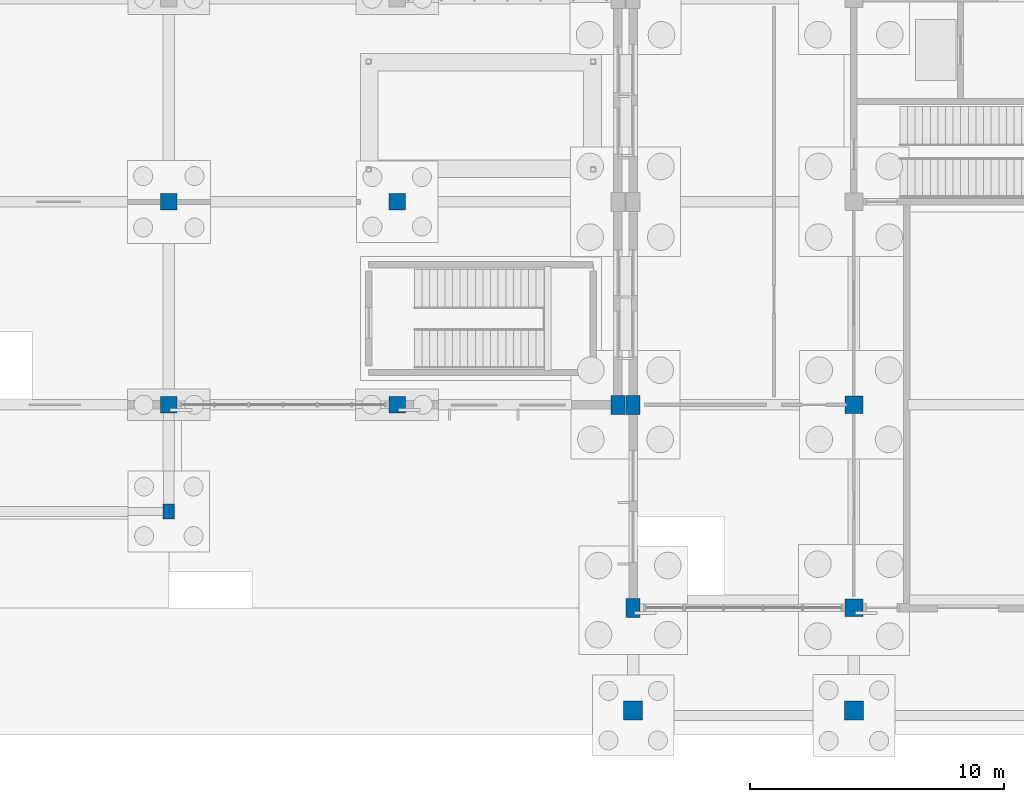
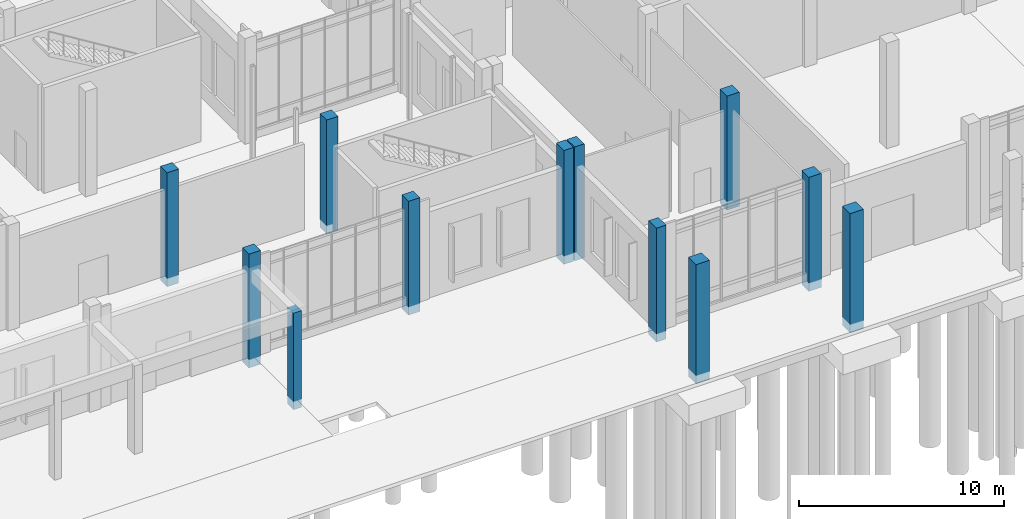
# One storey, part 30 of 99: 12 columns.
"""IFC4 building model written with IfcOpenShell, lengths in metres."""

from ifc_helpers import new_model, si_unit, direction, frame, origin, origin_2d, place, context, subcontext, project, spatial, rectangle, extrude, material, material_profile, profile_set, type_object, element, save


model = new_model("IFC4")

# Units and contexts
model_context = context("Model", 3, precision=1e-05, world=origin(), true_north=direction((0.0, 1.0)))
body_context = subcontext(model_context, "Body", "Model", "MODEL_VIEW")
ifc_project = project(units=[si_unit("LENGTHUNIT", "METRE"), si_unit("AREAUNIT", "SQUARE_METRE"), si_unit("VOLUMEUNIT", "CUBIC_METRE"), si_unit("PLANEANGLEUNIT", "RADIAN"), si_unit("MASSUNIT", "GRAM", prefix="KILO")], contexts=[model_context])

# Site, building, storey
site_placement = place(None, origin())
site = spatial("IfcSite", under=ifc_project, at=site_placement, CompositionType="ELEMENT")
building_placement = place(site_placement, origin())
building = spatial("IfcBuilding", under=site, at=building_placement, Name="Zacnel Wholesale Market", CompositionType="ELEMENT")
storey_placement = place(building_placement, origin())
storey = spatial("IfcBuildingStorey", under=building, at=storey_placement, Name="L01", CompositionType="ELEMENT", Elevation=0.0)

# Columns
ifc_material_1 = material(Name="Precast concrete C45/55", Category="concrete")
ifc_material_profile_1 = material_profile(ifc_material_1, rectangle(XDim=0.550048828125, YDim=0.75, at=origin_2d()), Name="PC 550x750")
ifc_profile_set_1 = profile_set([ifc_material_profile_1], Name="Precast concrete C45/55")
column_type_1 = type_object("IfcColumnType", Name="COL-MJ550X750", PredefinedType="COLUMN", material=ifc_profile_set_1)
for number, where, z_axis, x_axis, name in (
    (1, (143.699951171875, 8.0, -0.5), (0.0, 0.0, 1.0), (1.0, 0.0, 0.0), "Precast column L01-0230"),
    (2, (144.300048828125, 0.0, -0.5), (0.0, 0.0, 1.0), (1.0, 0.0, 0.0), "Precast column L01-0236"),
    (3, (144.300048828125, 8.0, -0.5), (0.0, 0.0, 1.0), (1.0, 0.0, 0.0), "Precast column L01-0237"),
):
    element("IfcColumn", number, at=place(storey_placement, frame(where, z_axis=z_axis, x_axis=x_axis)), inside=storey, type_object=column_type_1, Name=name, PredefinedType="COLUMN", context=body_context, shape_type="SweptSolid", body=[
        extrude(rectangle(XDim=0.550048828125, YDim=0.75, at=origin_2d()), origin(), (0.0, 0.0, 1.0), 6.800048828125),
    ])
ifc_material_2 = material(Name="Precast concrete C45/55", Category="concrete")
ifc_material_profile_2 = material_profile(ifc_material_2, rectangle(XDim=0.64990234375, YDim=0.64990234375, at=origin_2d()), Name="PC 650x650")
ifc_profile_set_2 = profile_set([ifc_material_profile_2], Name="Precast concrete C45/55")
column_type_2 = type_object("IfcColumnType", Name="COL-PC650", PredefinedType="COLUMN", material=ifc_profile_set_2)
for number, where, z_axis, x_axis, name in (
    (4, (126.0, 8.0, -0.5), (0.0, 0.0, 1.0), (1.0, 0.0, 0.0), "Precast column L01-0208"),
    (5, (126.0, 16.0, -0.5), (0.0, 0.0, 1.0), (1.0, 0.0, 0.0), "Precast column L01-0209"),
    (6, (135.0, 8.0, -0.5), (0.0, 0.0, 1.0), (1.0, 0.0, 0.0), "Precast column L01-0219"),
    (7, (135.0, 16.0, -0.5), (0.0, 0.0, 1.0), (1.0, 0.0, 0.0), "Precast column L01-0220"),
):
    element("IfcColumn", number, at=place(storey_placement, frame(where, z_axis=z_axis, x_axis=x_axis)), inside=storey, type_object=column_type_2, Name=name, PredefinedType="COLUMN", context=body_context, shape_type="SweptSolid", body=[
        extrude(rectangle(XDim=0.64990234375, YDim=0.64990234375, at=origin_2d()), origin(), (0.0, 0.0, 1.0), 6.800048828125),
    ])
ifc_material_3 = material(Name="Precast concrete C45/55", Category="concrete")
ifc_material_profile_3 = material_profile(ifc_material_3, rectangle(XDim=0.699951171875, YDim=0.699951171875, at=origin_2d()), Name="PC 700x700")
ifc_profile_set_3 = profile_set([ifc_material_profile_3], Name="Precast concrete C45/55")
column_type_3 = type_object("IfcColumnType", Name="COL-PC700", PredefinedType="COLUMN", material=ifc_profile_set_3)
for number, where, z_axis, x_axis, name in (
    (8, (153.0, 0.0, -0.5), (0.0, 0.0, 1.0), (1.0, 0.0, 0.0), "Precast column L01-0252"),
    (9, (153.0, 8.0, -0.5), (0.0, 0.0, 1.0), (1.0, 0.0, 0.0), "Precast column L01-0253"),
):
    element("IfcColumn", number, at=place(storey_placement, frame(where, z_axis=z_axis, x_axis=x_axis)), inside=storey, type_object=column_type_3, Name=name, PredefinedType="COLUMN", context=body_context, shape_type="SweptSolid", body=[
        extrude(rectangle(XDim=0.699951171875, YDim=0.699951171875, at=origin_2d()), origin(), (0.0, 0.0, 1.0), 6.800048828125),
    ])
ifc_material_4 = material(Name="Precast concrete C45/55", Category="concrete")
ifc_material_profile_4 = material_profile(ifc_material_4, rectangle(XDim=0.75, YDim=0.75, at=origin_2d()), Name="PC 750x750")
ifc_profile_set_4 = profile_set([ifc_material_profile_4], Name="Precast concrete C45/55")
column_type_4 = type_object("IfcColumnType", Name="COL-PC750", PredefinedType="COLUMN", material=ifc_profile_set_4)
for number, where, z_axis, x_axis, name in (
    (10, (153.0, -4.050048828125, -0.5), (0.0, 0.0, 1.0), (1.0, 0.0, 0.0), "Boulevard colonnade precast pier 01"),
    (11, (144.300048828125, -4.050048828125, -0.5), (0.0, 0.0, 1.0), (1.0, 0.0, 0.0), "Boulevard colonnade corner pylon pier 01"),
):
    element("IfcColumn", number, at=place(storey_placement, frame(where, z_axis=z_axis, x_axis=x_axis)), inside=storey, type_object=column_type_4, Name=name, PredefinedType="COLUMN", context=body_context, shape_type="SweptSolid", body=[
        extrude(rectangle(XDim=0.75, YDim=0.75, at=origin_2d()), origin(), (0.0, 0.0, 1.0), 7.1201171875),
    ])
ifc_material_5 = material(Name="Precast concrete C45/55", Category="concrete")
ifc_material_profile_5 = material_profile(ifc_material_5, rectangle(XDim=0.449951171875, YDim=0.60009765625, at=origin_2d()), Name="PIL 450x600")
ifc_profile_set_5 = profile_set([ifc_material_profile_5], Name="Precast concrete C45/55")
column_type_5 = type_object("IfcColumnType", Name="PIL-DEC450X600", PredefinedType="PILASTER", material=ifc_profile_set_5)
column_placement = place(storey_placement, frame((126.0, 3.800048828125, -0.5), z_axis=(0.0, 0.0, 1.0), x_axis=(1.0, 0.0, 0.0)))
element("IfcColumn", 12, at=column_placement, inside=storey, type_object=column_type_5, Name="Mayan-Deco colonnade pilaster 10", PredefinedType="PILASTER", context=body_context, shape_type="SweptSolid", body=[
    extrude(rectangle(XDim=0.449951171875, YDim=0.60009765625, at=origin_2d()), origin(), (0.0, 0.0, 1.0), 5.77001953125),
])

save(model, "model.ifc")
